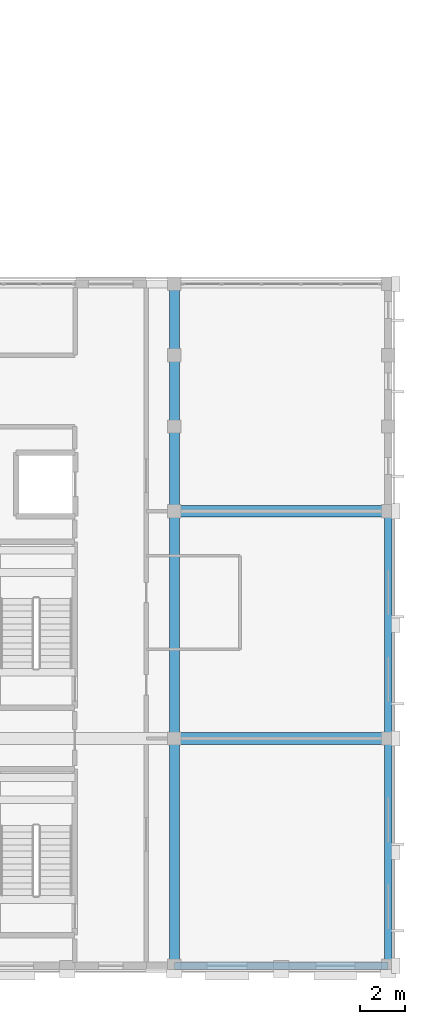
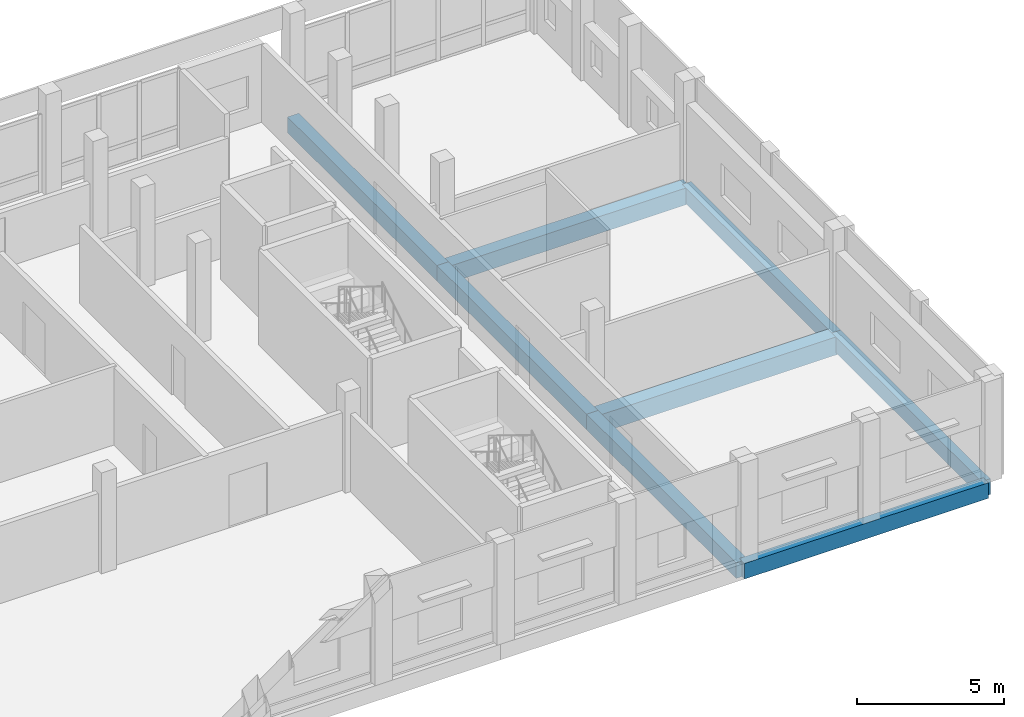
# One storey, part 102 of 185: 8 beams.
"""IFC4 building model written with IfcOpenShell, lengths in metres."""

from ifc_helpers import new_model, si_unit, direction, frame, origin, origin_2d, place, context, subcontext, project, spatial, rectangle, extrude, material, material_profile, profile_set, type_object, element, save


model = new_model("IFC4")

# Units and contexts
model_context = context("Model", 3, precision=1e-05, world=origin(), true_north=direction((0.0, 1.0)))
body_context = subcontext(model_context, "Body", "Model", "MODEL_VIEW")
ifc_project = project(units=[si_unit("LENGTHUNIT", "METRE"), si_unit("AREAUNIT", "SQUARE_METRE"), si_unit("VOLUMEUNIT", "CUBIC_METRE"), si_unit("PLANEANGLEUNIT", "RADIAN"), si_unit("MASSUNIT", "GRAM", prefix="KILO")], contexts=[model_context])

# Site, building, storey
site_placement = place(None, origin())
site = spatial("IfcSite", under=ifc_project, at=site_placement, CompositionType="ELEMENT")
building_placement = place(site_placement, origin())
building = spatial("IfcBuilding", under=site, at=building_placement, Name="Vondelvale Polytechnic", CompositionType="ELEMENT")
storey_placement = place(building_placement, frame((0.0, 0.0, 9.60009765625)))
storey = spatial("IfcBuildingStorey", under=building, at=storey_placement, Name="L02", CompositionType="ELEMENT", Elevation=9.60009765625)

# Beams
ifc_material_1 = material(Name="Concrete N40 (f'c = 40 MPa)", Category="concrete")
ifc_material_profile_1 = material_profile(ifc_material_1, rectangle(XDim=0.449951171875, YDim=0.64990234375, at=origin_2d()), Name="RC-BM-450x650")
ifc_profile_set_1 = profile_set([ifc_material_profile_1], Name="Concrete N40 (f'c = 40 MPa)")
beam_type_1 = type_object("IfcBeamType", Name="BM-RC450x650", PredefinedType="BEAM", material=ifc_profile_set_1)
for number, where, z_axis, x_axis, name in (
    (1, (163.199951171875, 0.0, -0.60498046875), (0.0, 1.0, 0.0), (-1.0, 0.0, 0.0), "L02 B B-04"),
    (2, (163.199951171875, 10.199951171875, -0.60498046875), (0.0, 1.0, 0.0), (-1.0, 0.0, 0.0), "L02 B B-04"),
):
    element("IfcBeam", number, at=place(storey_placement, frame(where, z_axis=z_axis, x_axis=x_axis)), inside=storey, type_object=beam_type_1, Name=name, PredefinedType="BEAM", context=body_context, shape_type="SweptSolid", body=[
        extrude(rectangle(XDim=0.449951171875, YDim=0.64990234375, at=origin_2d()), origin(), (0.0, 0.0, 1.0), 10.199951171875),
    ])
beam_1_placement = place(storey_placement, frame((163.199951171875, 20.39990234375, -0.60498046875), z_axis=(0.0, 1.0, 0.0), x_axis=(-1.0, 0.0, 0.0)))
element("IfcBeam", 3, at=beam_1_placement, inside=storey, type_object=beam_type_1, Name="L02 B B-04", PredefinedType="BEAM", context=body_context, shape_type="SweptSolid", body=[
    extrude(rectangle(XDim=0.449951171875, YDim=0.64990234375, at=origin_2d()), origin(), (0.0, 0.0, 1.0), 10.2001953125),
])
ifc_material_profile_2 = material_profile(ifc_material_1, rectangle(XDim=0.5, YDim=0.699951171875, at=origin_2d()), Name="RC-BM-500x700")
ifc_profile_set_2 = profile_set([ifc_material_profile_2], Name="Concrete N40 (f'c = 40 MPa)")
beam_type_2 = type_object("IfcBeamType", Name="BM-RC500x700", PredefinedType="BEAM", material=ifc_profile_set_2)
beam_2_placement = place(storey_placement, frame((163.199951171875, 20.39990234375, -0.630126953125), z_axis=(1.0, 0.0, 0.0), x_axis=(0.0, 1.0, 0.0)))
element("IfcBeam", 4, at=beam_2_placement, inside=storey, type_object=beam_type_2, Name="L02 B B-03", PredefinedType="BEAM", context=body_context, shape_type="SweptSolid", body=[
    extrude(rectangle(XDim=0.5, YDim=0.699951171875, at=origin_2d()), origin(), (0.0, 0.0, 1.0), 9.60009765625),
])
ifc_material_profile_3 = material_profile(ifc_material_1, rectangle(XDim=0.550048828125, YDim=0.75, at=origin_2d()), Name="RC-BM-550x750")
ifc_profile_set_3 = profile_set([ifc_material_profile_3], Name="Concrete N40 (f'c = 40 MPa)")
beam_type_3 = type_object("IfcBeamType", Name="BM-RC550x750", PredefinedType="BEAM", material=ifc_profile_set_3)
beam_3_placement = place(storey_placement, frame((163.199951171875, 10.199951171875, -0.655029296875), z_axis=(1.0, 0.0, 0.0), x_axis=(0.0, 1.0, 0.0)))
element("IfcBeam", 5, at=beam_3_placement, inside=storey, type_object=beam_type_3, Name="L02 B B-02", PredefinedType="BEAM", context=body_context, shape_type="SweptSolid", body=[
    extrude(rectangle(XDim=0.550048828125, YDim=0.75, at=origin_2d()), origin(), (0.0, 0.0, 1.0), 9.60009765625),
])
ifc_material_2 = material(Name="Precast concrete N40 (f'c = 40 MPa)", Category="concrete")
ifc_material_profile_4 = material_profile(ifc_material_2, rectangle(XDim=0.35009765625, YDim=0.64990234375, at=origin_2d()), Name="RC-SPN-350x650")
ifc_profile_set_4 = profile_set([ifc_material_profile_4], Name="Precast concrete N40 (f'c = 40 MPa)")
beam_type_4 = type_object("IfcBeamType", Name="SPN-PRE350x650", PredefinedType="SPANDREL", material=ifc_profile_set_4)
beam_4_placement = place(storey_placement, frame((163.199951171875, 0.0, -0.60498046875), z_axis=(1.0, 0.0, 0.0), x_axis=(0.0, 1.0, 0.0)))
element("IfcBeam", 6, at=beam_4_placement, inside=storey, type_object=beam_type_4, Name="L02 B SP-02", PredefinedType="SPANDREL", context=body_context, shape_type="SweptSolid", body=[
    extrude(rectangle(XDim=0.35009765625, YDim=0.64990234375, at=origin_2d()), origin(), (0.0, 0.0, 1.0), 9.60009765625),
])
for number, where, z_axis, x_axis, name in (
    (7, (172.800048828125, 0.0, -0.60498046875), (0.0, 1.0, 0.0), (-1.0, 0.0, 0.0), "L02 B SP-02"),
    (8, (172.800048828125, 10.199951171875, -0.60498046875), (0.0, 1.0, 0.0), (-1.0, 0.0, 0.0), "L02 B SP-02"),
):
    element("IfcBeam", number, at=place(storey_placement, frame(where, z_axis=z_axis, x_axis=x_axis)), inside=storey, type_object=beam_type_4, Name=name, PredefinedType="SPANDREL", context=body_context, shape_type="SweptSolid", body=[
        extrude(rectangle(XDim=0.35009765625, YDim=0.64990234375, at=origin_2d()), origin(), (0.0, 0.0, 1.0), 10.199951171875),
    ])

save(model, "model.ifc")
